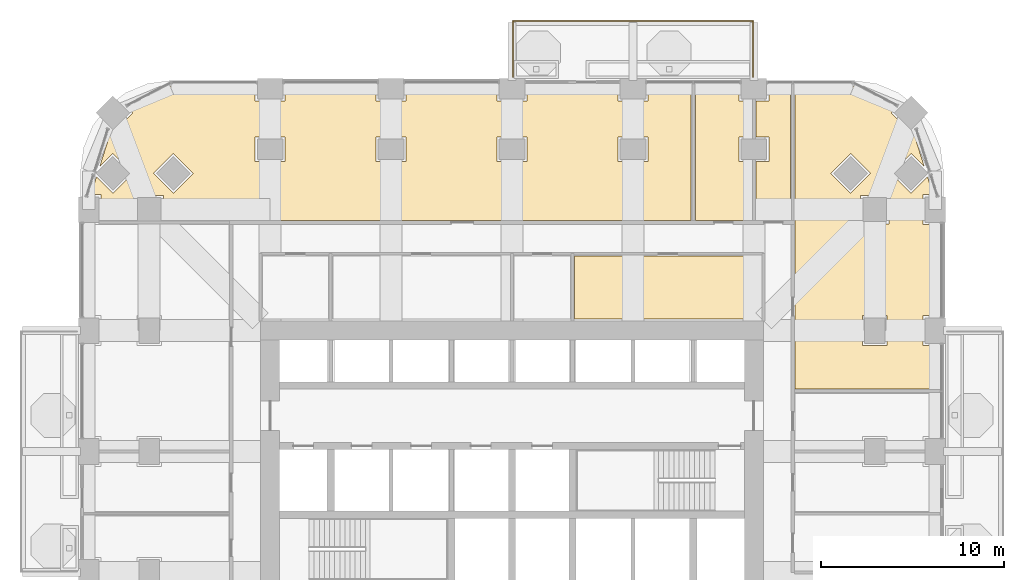
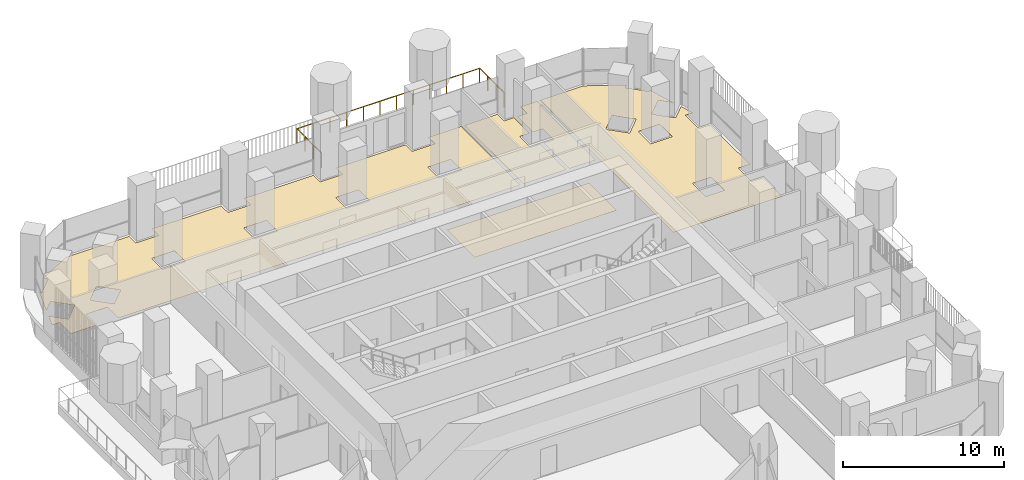
# One storey, part 21 of 22: 5 coverings, 1 railing.
"""IFC4 building model written with IfcOpenShell, lengths in metres."""

import ifcopenshell
import ifcopenshell.guid

model = None  # the IFC model being written
_history = None  # IfcOwnerHistory: only IFC2X3 demands one
_inside = {}  # id of a spatial element -> (the spatial element, [elements in it])
_under = {}  # id of a project, library or spatial element -> (it, [spatial elements below it])
_declared = {}  # id of a project -> (the project, [libraries it declares])
_typed = {}  # id of a type object -> (the type object, [elements of that type])
_made_of = {}  # id of a material, layer set ... -> (it, [elements and type objects made of it])


def new_model(schema):
    """Start an empty IFC model of exactly this schema.

    Asked for "IFC4X3", IfcOpenShell would pick the latest addendum, in which some entities
    have other attributes; the version numbers below select the first issue.
    IFC2X3 requires an IfcOwnerHistory on every rooted entity: one is made here for all.
    """
    global model, _history
    if schema == "IFC4X3":
        model = ifcopenshell.file(schema_version=(4, 3, 0, 0))
    else:
        model = ifcopenshell.file(schema=schema)
    _inside.clear()
    _under.clear()
    _declared.clear()
    _typed.clear()
    _made_of.clear()
    _history = None
    if model.schema == "IFC2X3":
        org = make("IfcOrganization", Name="unknown")
        user = make(
            "IfcPersonAndOrganization",
            ThePerson=make("IfcPerson", FamilyName="unknown"),
            TheOrganization=org,
        )
        app = make(
            "IfcApplication",
            ApplicationDeveloper=org,
            Version="unknown",
            ApplicationFullName="unknown",
            ApplicationIdentifier="unknown",
        )
        _history = make(
            "IfcOwnerHistory",
            OwningUser=user,
            OwningApplication=app,
            ChangeAction="ADDED",
            CreationDate=0,
        )
    return model


def make(cls, **values):
    """One entity of the class cls with the attributes given. An attribute that is None is left unset."""
    return model.create_entity(
        cls, **{name: value for name, value in values.items() if value is not None}
    )


def rooted(cls, **values):
    """An entity with a GlobalId (a new one), such as an element, a storey or a relation."""
    return make(cls, GlobalId=ifcopenshell.guid.new(), OwnerHistory=_history, **values)


def si_unit(unit_type, name, prefix=None):
    """IfcSIUnit, for example si_unit("LENGTHUNIT", "METRE", prefix="MILLI")."""
    return make("IfcSIUnit", UnitType=unit_type, Prefix=prefix, Name=name)


def assignment(units):
    """IfcUnitAssignment: the units of a project."""
    return None if units is None else make("IfcUnitAssignment", Units=units)


def point(xyz):
    """IfcCartesianPoint."""
    return None if xyz is None else make("IfcCartesianPoint", Coordinates=xyz)


def direction(xyz):
    """IfcDirection."""
    return None if xyz is None else make("IfcDirection", DirectionRatios=xyz)


def frame(location, z_axis=None, x_axis=None):
    """IfcAxis2Placement3D, a coordinate frame: its origin and axes. An axis left out is left unset."""
    return make(
        "IfcAxis2Placement3D",
        Location=point(location),
        Axis=direction(z_axis),
        RefDirection=direction(x_axis),
    )


def origin():
    """The frame at (0, 0, 0) with its axes left unset."""
    return frame((0.0, 0.0, 0.0))


def place(relative_to, where):
    """IfcLocalPlacement: puts the frame where relative to a parent placement (None: the world)."""
    return make(
        "IfcLocalPlacement", PlacementRelTo=relative_to, RelativePlacement=where
    )


def context(
    kind, dimensions, precision=None, world=None, true_north=None, identifier=None
):
    """IfcGeometricRepresentationContext, for example the 3D "Model" context."""
    return make(
        "IfcGeometricRepresentationContext",
        ContextIdentifier=identifier,
        ContextType=kind,
        CoordinateSpaceDimension=dimensions,
        Precision=precision,
        WorldCoordinateSystem=world,
        TrueNorth=true_north,
    )


def subcontext(parent, identifier, kind, view, scale=None):
    """IfcGeometricRepresentationSubContext, for example "Body" below "Model"."""
    return make(
        "IfcGeometricRepresentationSubContext",
        ContextIdentifier=identifier,
        ContextType=kind,
        ParentContext=parent,
        TargetScale=scale,
        TargetView=view,
    )


def project(units=None, contexts=None):
    """IfcProject with its units and contexts."""
    return rooted(
        "IfcProject",
        Name="project",
        RepresentationContexts=contexts,
        UnitsInContext=assignment(units),
    )


def spatial(cls, under=None, at=None, **own):
    """A site, building, storey or space (cls), placed at a placement, below another one or the project."""
    s = rooted(cls, ObjectPlacement=at, **own)
    if under is not None:
        _under.setdefault(under.id(), (under, []))[1].append(s)
    return s


def polyline(points):
    """IfcPolyline through the points."""
    return make("IfcPolyline", Points=[point(p) for p in points])


def outline(outer, holes=None, kind="AREA"):
    """IfcArbitraryClosedProfileDef: a profile drawn as a closed curve; with holes, ...WithVoids."""
    if holes is None:
        return make("IfcArbitraryClosedProfileDef", ProfileType=kind, OuterCurve=outer)
    return make(
        "IfcArbitraryProfileDefWithVoids",
        ProfileType=kind,
        OuterCurve=outer,
        InnerCurves=holes,
    )


def extrude(swept, where, along, depth):
    """IfcExtrudedAreaSolid: the profile swept, set in the frame where, extruded along a direction by depth."""
    return make(
        "IfcExtrudedAreaSolid",
        SweptArea=swept,
        Position=where,
        ExtrudedDirection=direction(along),
        Depth=depth,
    )


def shape(context_of_items, identifier, shape_type, items):
    """IfcShapeRepresentation: the items that make up one representation, for example the "Body"."""
    return make(
        "IfcShapeRepresentation",
        ContextOfItems=context_of_items,
        RepresentationIdentifier=identifier,
        RepresentationType=shape_type,
        Items=items,
    )


def material(Name=None, Category=None):
    """IfcMaterial."""
    return make("IfcMaterial", Name=Name, Category=Category)


def layer(
    of_material, thickness, ventilated=None, Name=None, Category=None, Priority=None
):
    """IfcMaterialLayer: one layer of a wall or slab, of a material (None: an air gap)."""
    return make(
        "IfcMaterialLayer",
        Material=of_material,
        LayerThickness=thickness,
        IsVentilated=ventilated,
        Name=Name,
        Category=Category,
        Priority=Priority,
    )


def layer_set(layers, Name=None):
    """IfcMaterialLayerSet."""
    return make("IfcMaterialLayerSet", MaterialLayers=layers, LayerSetName=Name)


def made_of(thing, what):
    """Note that an element or type object is made of a material, layer set ...; save() writes the relation."""
    if what is not None:
        _made_of.setdefault(what.id(), (what, []))[1].append(thing)
    return thing


def type_object(cls, material=None, **own):
    """A type object (cls), such as IfcWallType, which elements share."""
    return made_of(rooted(cls, **own), material)


def element(
    cls,
    number,
    at=None,
    inside=None,
    cuts=None,
    type_object=None,
    material=None,
    context=None,
    identifier="Body",
    shape_type=None,
    held_by="IfcProductDefinitionShape",
    body=None,
    shapes=None,
    **own,
):
    """One element of the class cls, such as IfcWall. Its Tag is "e" and its number.

    at: its placement. inside: the storey or other place that contains it. cuts: it is an
    opening in that element (IfcRelVoidsElement). A single representation is given by context,
    identifier, shape_type and body (its items); several are given by shapes. held_by: the class
    of the entity that holds the representations. save() writes the other relations.
    """
    e = rooted(cls, Tag="e%d" % number, ObjectPlacement=at, **own)
    if body is not None:
        shapes = [shape(context, identifier, shape_type, body)]
    if shapes is not None:
        e.Representation = make(held_by, Representations=shapes)
    if inside is not None:
        _inside.setdefault(inside.id(), (inside, []))[1].append(e)
    if cuts is not None:
        rooted(
            "IfcRelVoidsElement", RelatingBuildingElement=cuts, RelatedOpeningElement=e
        )
    if type_object is not None:
        _typed.setdefault(type_object.id(), (type_object, []))[1].append(e)
    return made_of(e, material)


def aggregate(whole, parts):
    """IfcRelAggregates: a whole, such as a stair, and the parts it consists of."""
    return rooted("IfcRelAggregates", RelatingObject=whole, RelatedObjects=parts)


def save(model, path):
    """Write the relations noted so far, then the file.

    IfcRelAggregates (storeys below a building ...), IfcRelContainedInSpatialStructure (elements
    in a storey), IfcRelDefinesByType, IfcRelAssociatesMaterial and IfcRelDeclares: one each for
    every whole, place, type object, material and project.
    """
    for whole, parts in _under.values():
        aggregate(whole, parts)
    for where, things in _inside.values():
        rooted(
            "IfcRelContainedInSpatialStructure",
            RelatedElements=things,
            RelatingStructure=where,
        )
    for kind, things in _typed.values():
        rooted("IfcRelDefinesByType", RelatedObjects=things, RelatingType=kind)
    for what, things in _made_of.values():
        rooted("IfcRelAssociatesMaterial", RelatedObjects=things, RelatingMaterial=what)
    for by, libraries in _declared.values():
        rooted("IfcRelDeclares", RelatingContext=by, RelatedDefinitions=libraries)
    model.write(path)


model = new_model("IFC4")

# Units and contexts
model_context = context("Model", 3, precision=1e-05, world=origin(), true_north=direction((0.0, 1.0)))
body_context = subcontext(model_context, "Body", "Model", "MODEL_VIEW")
ifc_project = project(units=[si_unit("LENGTHUNIT", "METRE"), si_unit("AREAUNIT", "SQUARE_METRE"), si_unit("VOLUMEUNIT", "CUBIC_METRE"), si_unit("PLANEANGLEUNIT", "RADIAN"), si_unit("MASSUNIT", "GRAM", prefix="KILO")], contexts=[model_context])

# Site, building, storey
site_placement = place(None, origin())
site = spatial("IfcSite", under=ifc_project, at=site_placement, CompositionType="ELEMENT")
building_placement = place(site_placement, origin())
building = spatial("IfcBuilding", under=site, at=building_placement, Name="Cobogo Forest Laboratory Tower", CompositionType="ELEMENT")
storey_placement = place(building_placement, frame((0.0, 0.0, 120.0)))
storey = spatial("IfcBuildingStorey", under=building, at=storey_placement, Name="L27", CompositionType="ELEMENT", Elevation=120.0)

# Railing
ifc_material_1 = material(Name="Laminated glass balustrade", Category="glass")
railing_type = type_object("IfcRailingType", Name="BG1 glass balustrade 1100", PredefinedType="GUARDRAIL", material=ifc_material_1)
railing_placement = place(storey_placement, frame((26.449951171875, 46.85009765625, 0.0)))
element("IfcRailing", 1, at=railing_placement, inside=storey, type_object=railing_type, Name="Balcony balustrade BAL-N1 L27", PredefinedType="GUARDRAIL", context=body_context, shape_type="SweptSolid", body=[
    extrude(outline(polyline([(0.022216796875, 0.00927734375), (0.00927734375, 0.022216796875), (-0.00927734375, 0.022216796875), (-0.022216796875, 0.00927734375), (-0.022216796875, -0.00927734375), (-0.00927734375, -0.022216796875), (0.00927734375, -0.022216796875), (0.022216796875, -0.00927734375), (0.022216796875, 0.00927734375)])), frame((0.0, 0.0, 1.077880859375), z_axis=(0.0, 1.0, 0.0), x_axis=(-1.0, 0.0, 0.0)), (0.0, 0.0, 1.0), 3.0498046875),
    extrude(outline(polyline([(0.022216796875, 0.00927734375), (0.00927734375, 0.022216796875), (-0.00927734375, 0.022216796875), (-0.022216796875, 0.00927734375), (-0.022216796875, -0.00927734375), (-0.00927734375, -0.022216796875), (0.00927734375, -0.022216796875), (0.022216796875, -0.00927734375), (0.022216796875, 0.00927734375)])), frame((0.0, 3.0498046875, 1.077880859375), z_axis=(1.0, 0.0, 0.0), x_axis=(0.0, 1.0, 0.0)), (0.0, 0.0, 1.0), 13.10009765625),
    extrude(outline(polyline([(0.022216796875, 0.00927734375), (0.00927734375, 0.022216796875), (-0.00927734375, 0.022216796875), (-0.022216796875, 0.00927734375), (-0.022216796875, -0.00927734375), (-0.00927734375, -0.022216796875), (0.00927734375, -0.022216796875), (0.022216796875, -0.00927734375), (0.022216796875, 0.00927734375)])), frame((13.10009765625, 3.0498046875, 1.077880859375), z_axis=(0.0, -1.0, 0.0), x_axis=(1.0, 0.0, 0.0)), (0.0, 0.0, 1.0), 3.0498046875),
    extrude(outline(polyline([(0.019287109375, 0.008056640625), (0.008056640625, 0.019287109375), (-0.008056640625, 0.019287109375), (-0.019287109375, 0.008056640625), (-0.019287109375, -0.008056640625), (-0.008056640625, -0.019287109375), (0.008056640625, -0.019287109375), (0.019287109375, -0.008056640625), (0.019287109375, 0.008056640625)])), origin(), (0.0, 0.0, 1.0), 1.077880859375),
    extrude(outline(polyline([(0.019287109375, 0.008056640625), (0.008056640625, 0.019287109375), (-0.008056640625, 0.019287109375), (-0.019287109375, 0.008056640625), (-0.019287109375, -0.008056640625), (-0.008056640625, -0.019287109375), (0.008056640625, -0.019287109375), (0.019287109375, -0.008056640625), (0.019287109375, 0.008056640625)])), frame((0.0, 1.0166015625, 0.0)), (0.0, 0.0, 1.0), 1.077880859375),
    extrude(outline(polyline([(0.019287109375, 0.008056640625), (0.008056640625, 0.019287109375), (-0.008056640625, 0.019287109375), (-0.019287109375, 0.008056640625), (-0.019287109375, -0.008056640625), (-0.008056640625, -0.019287109375), (0.008056640625, -0.019287109375), (0.019287109375, -0.008056640625), (0.019287109375, 0.008056640625)])), frame((0.0, 2.033203125, 0.0)), (0.0, 0.0, 1.0), 1.077880859375),
    extrude(outline(polyline([(0.019287109375, 0.008056640625), (0.008056640625, 0.019287109375), (-0.008056640625, 0.019287109375), (-0.019287109375, 0.008056640625), (-0.019287109375, -0.008056640625), (-0.008056640625, -0.019287109375), (0.008056640625, -0.019287109375), (0.019287109375, -0.008056640625), (0.019287109375, 0.008056640625)])), frame((0.0, 3.0498046875, 0.0)), (0.0, 0.0, 1.0), 1.077880859375),
    extrude(outline(polyline([(0.019287109375, 0.008056640625), (0.008056640625, 0.019287109375), (-0.008056640625, 0.019287109375), (-0.019287109375, 0.008056640625), (-0.019287109375, -0.008056640625), (-0.008056640625, -0.019287109375), (0.008056640625, -0.019287109375), (0.019287109375, -0.008056640625), (0.019287109375, 0.008056640625)])), frame((1.19091796875, 3.0498046875, 0.0)), (0.0, 0.0, 1.0), 1.077880859375),
    extrude(outline(polyline([(0.019287109375, 0.008056640625), (0.008056640625, 0.019287109375), (-0.008056640625, 0.019287109375), (-0.019287109375, 0.008056640625), (-0.019287109375, -0.008056640625), (-0.008056640625, -0.019287109375), (0.008056640625, -0.019287109375), (0.019287109375, -0.008056640625), (0.019287109375, 0.008056640625)])), frame((2.3818359375, 3.0498046875, 0.0)), (0.0, 0.0, 1.0), 1.077880859375),
    extrude(outline(polyline([(0.019287109375, 0.008056640625), (0.008056640625, 0.019287109375), (-0.008056640625, 0.019287109375), (-0.019287109375, 0.008056640625), (-0.019287109375, -0.008056640625), (-0.008056640625, -0.019287109375), (0.008056640625, -0.019287109375), (0.019287109375, -0.008056640625), (0.019287109375, 0.008056640625)])), frame((3.57275390625, 3.0498046875, 0.0)), (0.0, 0.0, 1.0), 1.077880859375),
    extrude(outline(polyline([(0.019287109375, 0.008056640625), (0.008056640625, 0.019287109375), (-0.008056640625, 0.019287109375), (-0.019287109375, 0.008056640625), (-0.019287109375, -0.008056640625), (-0.008056640625, -0.019287109375), (0.008056640625, -0.019287109375), (0.019287109375, -0.008056640625), (0.019287109375, 0.008056640625)])), frame((4.763671875, 3.0498046875, 0.0)), (0.0, 0.0, 1.0), 1.077880859375),
    extrude(outline(polyline([(0.019287109375, 0.008056640625), (0.008056640625, 0.019287109375), (-0.008056640625, 0.019287109375), (-0.019287109375, 0.008056640625), (-0.019287109375, -0.008056640625), (-0.008056640625, -0.019287109375), (0.008056640625, -0.019287109375), (0.019287109375, -0.008056640625), (0.019287109375, 0.008056640625)])), frame((5.95458984375, 3.0498046875, 0.0)), (0.0, 0.0, 1.0), 1.077880859375),
    extrude(outline(polyline([(0.019287109375, 0.008056640625), (0.008056640625, 0.019287109375), (-0.008056640625, 0.019287109375), (-0.019287109375, 0.008056640625), (-0.019287109375, -0.008056640625), (-0.008056640625, -0.019287109375), (0.008056640625, -0.019287109375), (0.019287109375, -0.008056640625), (0.019287109375, 0.008056640625)])), frame((7.1455078125, 3.0498046875, 0.0)), (0.0, 0.0, 1.0), 1.077880859375),
    extrude(outline(polyline([(0.019287109375, 0.008056640625), (0.008056640625, 0.019287109375), (-0.008056640625, 0.019287109375), (-0.019287109375, 0.008056640625), (-0.019287109375, -0.008056640625), (-0.008056640625, -0.019287109375), (0.008056640625, -0.019287109375), (0.019287109375, -0.008056640625), (0.019287109375, 0.008056640625)])), frame((8.33642578125, 3.0498046875, 0.0)), (0.0, 0.0, 1.0), 1.077880859375),
    extrude(outline(polyline([(0.019287109375, 0.008056640625), (0.008056640625, 0.019287109375), (-0.008056640625, 0.019287109375), (-0.019287109375, 0.008056640625), (-0.019287109375, -0.008056640625), (-0.008056640625, -0.019287109375), (0.008056640625, -0.019287109375), (0.019287109375, -0.008056640625), (0.019287109375, 0.008056640625)])), frame((9.52734375, 3.0498046875, 0.0)), (0.0, 0.0, 1.0), 1.077880859375),
    extrude(outline(polyline([(0.019287109375, 0.008056640625), (0.008056640625, 0.019287109375), (-0.008056640625, 0.019287109375), (-0.019287109375, 0.008056640625), (-0.019287109375, -0.008056640625), (-0.008056640625, -0.019287109375), (0.008056640625, -0.019287109375), (0.019287109375, -0.008056640625), (0.019287109375, 0.008056640625)])), frame((10.71826171875, 3.0498046875, 0.0)), (0.0, 0.0, 1.0), 1.077880859375),
    extrude(outline(polyline([(0.019287109375, 0.008056640625), (0.008056640625, 0.019287109375), (-0.008056640625, 0.019287109375), (-0.019287109375, 0.008056640625), (-0.019287109375, -0.008056640625), (-0.008056640625, -0.019287109375), (0.008056640625, -0.019287109375), (0.019287109375, -0.008056640625), (0.019287109375, 0.008056640625)])), frame((11.9091796875, 3.0498046875, 0.0)), (0.0, 0.0, 1.0), 1.077880859375),
    extrude(outline(polyline([(0.019287109375, 0.008056640625), (0.008056640625, 0.019287109375), (-0.008056640625, 0.019287109375), (-0.019287109375, 0.008056640625), (-0.019287109375, -0.008056640625), (-0.008056640625, -0.019287109375), (0.008056640625, -0.019287109375), (0.019287109375, -0.008056640625), (0.019287109375, 0.008056640625)])), frame((13.10009765625, 3.0498046875, 0.0)), (0.0, 0.0, 1.0), 1.077880859375),
    extrude(outline(polyline([(0.019287109375, 0.008056640625), (0.008056640625, 0.019287109375), (-0.008056640625, 0.019287109375), (-0.019287109375, 0.008056640625), (-0.019287109375, -0.008056640625), (-0.008056640625, -0.019287109375), (0.008056640625, -0.019287109375), (0.019287109375, -0.008056640625), (0.019287109375, 0.008056640625)])), frame((13.10009765625, 2.033203125, 0.0)), (0.0, 0.0, 1.0), 1.077880859375),
    extrude(outline(polyline([(0.019287109375, 0.008056640625), (0.008056640625, 0.019287109375), (-0.008056640625, 0.019287109375), (-0.019287109375, 0.008056640625), (-0.019287109375, -0.008056640625), (-0.008056640625, -0.019287109375), (0.008056640625, -0.019287109375), (0.019287109375, -0.008056640625), (0.019287109375, 0.008056640625)])), frame((13.10009765625, 1.0166015625, 0.0)), (0.0, 0.0, 1.0), 1.077880859375),
    extrude(outline(polyline([(0.019287109375, 0.008056640625), (0.008056640625, 0.019287109375), (-0.008056640625, 0.019287109375), (-0.019287109375, 0.008056640625), (-0.019287109375, -0.008056640625), (-0.008056640625, -0.019287109375), (0.008056640625, -0.019287109375), (0.019287109375, -0.008056640625), (0.019287109375, 0.008056640625)])), frame((13.10009765625, 0.0, 0.0)), (0.0, 0.0, 1.0), 1.077880859375),
])

# Coverings
ifc_material_2 = material(Name="Carpet tile on raised access floor", Category="flooring")
ifc_layer_1 = layer(ifc_material_2, 0.008056640625)
ifc_layer_set_1 = layer_set([ifc_layer_1], Name="CT1 carpet tile floor 8")
covering_type_1 = type_object("IfcCoveringType", Name="CT1 carpet tile floor 8", PredefinedType="FLOORING", material=ifc_layer_set_1)
covering_1_placement = place(storey_placement, origin())
element("IfcCovering", 2, at=covering_1_placement, inside=storey, type_object=covering_type_1, Name="Carpet floor L27-16", PredefinedType="FLOORING", context=body_context, shape_type="SweptSolid", body=[
    extrude(outline(polyline([(41.844970703125, 46.35009765625), (44.95068359375, 46.35009765625), (47.3193359375, 45.1083984375), (47.093017578125, 44.882080078125), (48.181884765625, 43.79296875), (48.283935546875, 43.89501953125), (48.89599609375, 41.95703125), (48.181884765625, 42.6708984375), (47.093017578125, 41.58203125), (48.181884765625, 40.492919921875), (49.075927734375, 41.386962890625), (49.38134765625, 40.419921875), (48.830078125, 40.419921875), (48.830078125, 38.780029296875), (49.64990234375, 38.780029296875), (49.64990234375, 33.820068359375), (48.830078125, 33.820068359375), (48.830078125, 32.179931640625), (49.64990234375, 32.179931640625), (49.64990234375, 29.820068359375), (41.844970703125, 29.820068359375), (41.844970703125, 46.35009765625)]), holes=[polyline([(45.429931640625, 40.3701171875), (45.429931640625, 38.830078125), (46.969970703125, 38.830078125), (46.969970703125, 40.3701171875), (45.429931640625, 40.3701171875)]), polyline([(46.8701171875, 32.179931640625), (46.8701171875, 33.820068359375), (45.530029296875, 33.820068359375), (45.530029296875, 32.179931640625), (46.8701171875, 32.179931640625)]), polyline([(43.79296875, 41.58203125), (44.882080078125, 40.492919921875), (45.970947265625, 41.58203125), (44.882080078125, 42.6708984375), (43.79296875, 41.58203125)])]), origin(), (0.0, 0.0, 1.0), 0.008056640625),
])
ifc_material_3 = material(Name="Epoxy resin flooring", Category="flooring")
ifc_layer_2 = layer(ifc_material_3, 0.00390625)
ifc_layer_set_2 = layer_set([ifc_layer_2], Name="LF1 epoxy laboratory floor 4")
covering_type_2 = type_object("IfcCoveringType", Name="LF1 epoxy laboratory floor 4", PredefinedType="FLOORING", material=ifc_layer_set_2)
covering_2_placement = place(storey_placement, origin())
element("IfcCovering", 3, at=covering_2_placement, inside=storey, type_object=covering_type_2, Name="Epoxy laboratory floor L27-04", PredefinedType="FLOORING", context=body_context, shape_type="SweptSolid", body=[
    extrude(outline(polyline([(40.0048828125, 33.64501953125), (29.820068359375, 33.64501953125), (29.820068359375, 37.080078125), (40.0048828125, 37.080078125), (40.0048828125, 33.64501953125)])), origin(), (0.0, 0.0, 1.0), 0.00390625),
])
covering_3_placement = place(storey_placement, origin())
element("IfcCovering", 4, at=covering_3_placement, inside=storey, type_object=covering_type_2, Name="Epoxy laboratory floor L27-17", PredefinedType="FLOORING", context=body_context, shape_type="SweptSolid", body=[
    extrude(outline(polyline([(3.72412109375, 41.386962890625), (4.617919921875, 40.492919921875), (5.70703125, 41.58203125), (4.617919921875, 42.6708984375), (3.904052734375, 41.95703125), (4.51611328125, 43.89501953125), (4.617919921875, 43.79296875), (5.70703125, 44.882080078125), (5.480712890625, 45.1083984375), (7.84912109375, 46.35009765625), (12.3798828125, 46.35009765625), (12.3798828125, 45.530029296875), (14.02001953125, 45.530029296875), (14.02001953125, 46.35009765625), (18.97998046875, 46.35009765625), (18.97998046875, 45.530029296875), (20.6201171875, 45.530029296875), (20.6201171875, 46.35009765625), (25.580078125, 46.35009765625), (25.580078125, 45.530029296875), (27.219970703125, 45.530029296875), (27.219970703125, 46.35009765625), (32.179931640625, 46.35009765625), (32.179931640625, 45.530029296875), (33.820068359375, 45.530029296875), (33.820068359375, 46.35009765625), (36.179931640625, 46.35009765625), (36.179931640625, 39.02001953125), (7.3701171875, 39.02001953125), (7.3701171875, 40.3701171875), (5.830078125, 40.3701171875), (5.830078125, 39.02001953125), (3.969970703125, 39.02001953125), (3.969970703125, 40.419921875), (3.418701171875, 40.419921875), (3.72412109375, 41.386962890625)]), holes=[polyline([(32.179931640625, 43.570068359375), (32.179931640625, 42.22998046875), (33.820068359375, 42.22998046875), (33.820068359375, 43.570068359375), (32.179931640625, 43.570068359375)]), polyline([(25.580078125, 43.570068359375), (25.580078125, 42.22998046875), (27.219970703125, 42.22998046875), (27.219970703125, 43.570068359375), (25.580078125, 43.570068359375)]), polyline([(18.97998046875, 42.22998046875), (20.6201171875, 42.22998046875), (20.6201171875, 43.570068359375), (18.97998046875, 43.570068359375), (18.97998046875, 42.22998046875)]), polyline([(12.3798828125, 43.570068359375), (12.3798828125, 42.22998046875), (14.02001953125, 42.22998046875), (14.02001953125, 43.570068359375), (12.3798828125, 43.570068359375)]), polyline([(6.8291015625, 41.58203125), (7.91796875, 40.492919921875), (9.007080078125, 41.58203125), (7.91796875, 42.6708984375), (6.8291015625, 41.58203125)])]), origin(), (0.0, 0.0, 1.0), 0.00390625),
])
ifc_material_4 = material(Name="Ceramic floor tile", Category="flooring")
ifc_layer_3 = layer(ifc_material_4, 0.010009765625)
ifc_layer_set_3 = layer_set([ifc_layer_3], Name="TF1 ceramic tile floor 10")
covering_type_3 = type_object("IfcCoveringType", Name="TF1 ceramic tile floor 10", PredefinedType="FLOORING", material=ifc_layer_set_3)
covering_4_placement = place(storey_placement, origin())
element("IfcCovering", 5, at=covering_4_placement, inside=storey, type_object=covering_type_3, Name="Tile floor L27-18", PredefinedType="FLOORING", context=body_context, shape_type="SweptSolid", body=[
    extrude(outline(polyline([(36.419921875, 39.02001953125), (36.419921875, 46.35009765625), (38.780029296875, 46.35009765625), (38.780029296875, 45.530029296875), (39.47998046875, 45.530029296875), (39.47998046875, 43.570068359375), (38.780029296875, 43.570068359375), (38.780029296875, 42.22998046875), (39.47998046875, 42.22998046875), (39.47998046875, 39.02001953125), (36.419921875, 39.02001953125)])), origin(), (0.0, 0.0, 1.0), 0.010009765625),
])
covering_5_placement = place(storey_placement, origin())
element("IfcCovering", 6, at=covering_5_placement, inside=storey, type_object=covering_type_3, Name="Tile floor L27-19", PredefinedType="FLOORING", context=body_context, shape_type="SweptSolid", body=[
    extrude(outline(polyline([(39.719970703125, 39.02001953125), (39.719970703125, 42.22998046875), (40.419921875, 42.22998046875), (40.419921875, 43.570068359375), (39.719970703125, 43.570068359375), (39.719970703125, 45.530029296875), (40.419921875, 45.530029296875), (40.419921875, 46.35009765625), (41.60498046875, 46.35009765625), (41.60498046875, 39.02001953125), (39.719970703125, 39.02001953125)])), origin(), (0.0, 0.0, 1.0), 0.010009765625),
])

save(model, "model.ifc")
